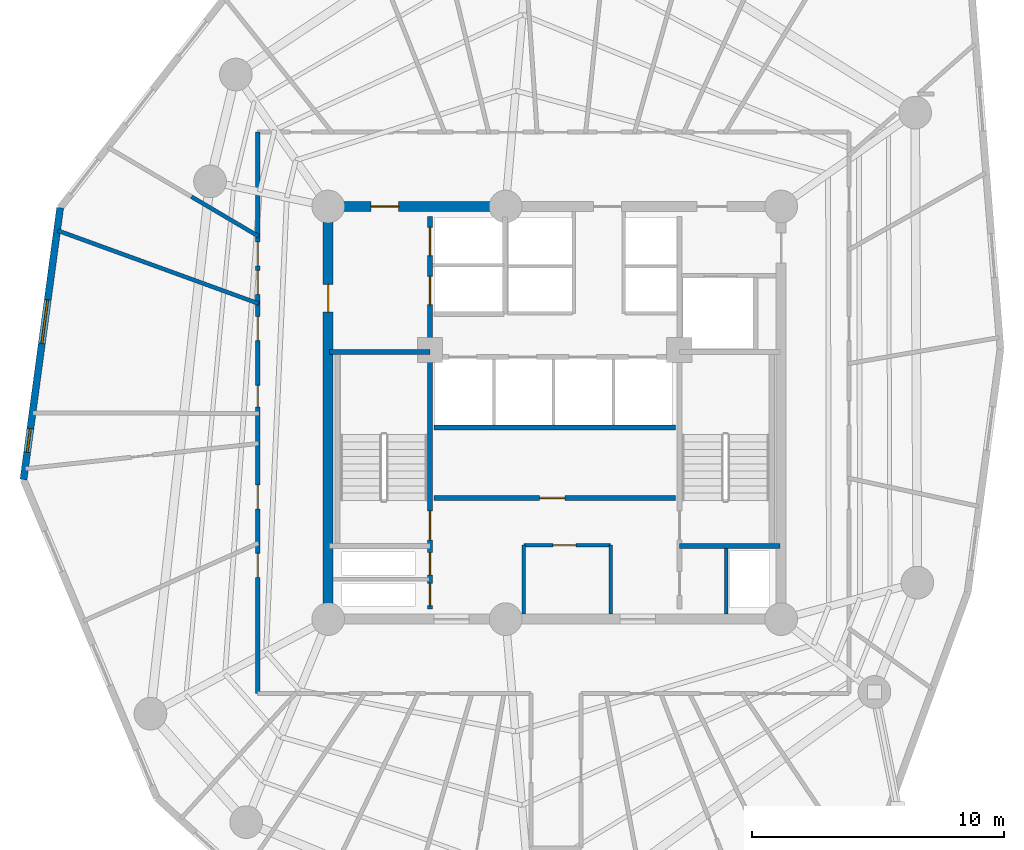
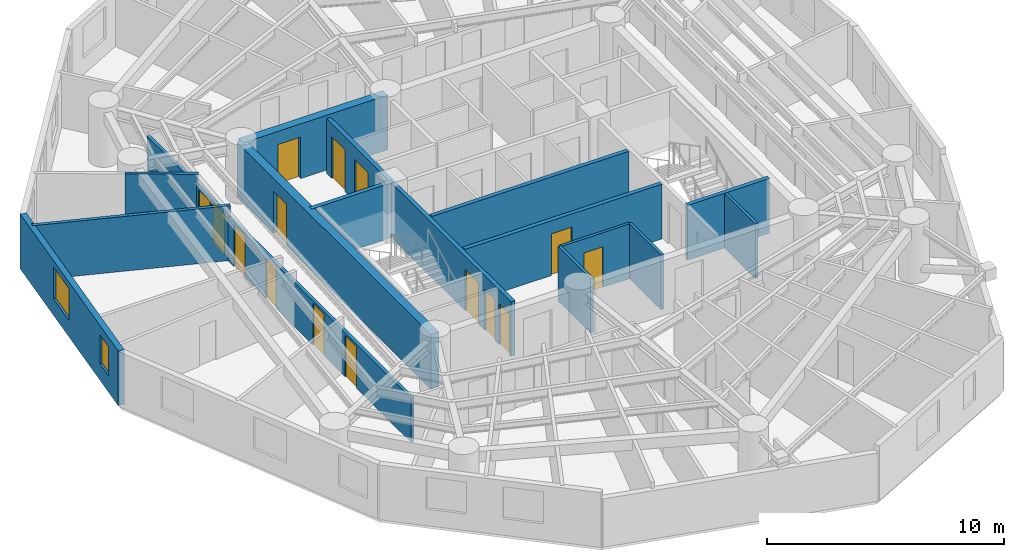
# One storey, part 4 of 8: 15 doors, 15 walls, 2 windows, 17 openings.
"""IFC4 building model written with IfcOpenShell, lengths in metres."""

from ifc_helpers import new_model, si_unit, direction, frame, frame_2d, origin, origin_with_axes, place, context, subcontext, project, spatial, rectangle, extrude, source, transform, mapped, material, layer, layer_set, type_object, element, fill, save


model = new_model("IFC4")

# Units and contexts
model_context = context("Model", 3, precision=1e-05, world=origin(), true_north=direction((0.0, 1.0)))
body_context = subcontext(model_context, "Body", "Model", "MODEL_VIEW")
ifc_project = project(units=[si_unit("LENGTHUNIT", "METRE"), si_unit("AREAUNIT", "SQUARE_METRE"), si_unit("VOLUMEUNIT", "CUBIC_METRE"), si_unit("PLANEANGLEUNIT", "RADIAN"), si_unit("MASSUNIT", "GRAM", prefix="KILO")], contexts=[model_context])

# Site, building, storey
site_placement = place(None, origin())
site = spatial("IfcSite", under=ifc_project, at=site_placement, CompositionType="ELEMENT")
building_placement = place(site_placement, origin())
building = spatial("IfcBuilding", under=site, at=building_placement, Name="Karkom Vertical University and Central Library", CompositionType="ELEMENT")
storey_placement = place(building_placement, frame((0.0, 0.0, 168.75)))
storey = spatial("IfcBuildingStorey", under=building, at=storey_placement, Name="L48", CompositionType="ELEMENT", Elevation=168.75)

# Wall, openings, windows
ifc_material_1 = material(Name="Brick-faced precast concrete C45/55", Category="masonry")
ifc_layer_1 = layer(ifc_material_1, 0.280029296875)
ifc_layer_set_1 = layer_set([ifc_layer_1], Name="Brick-faced precast concrete C45/55")
wall_type_1 = type_object("IfcWallType", Name="ENV-WL-BRK-280", PredefinedType="SOLIDWALL", material=ifc_layer_set_1)
wall_1_placement = place(storey_placement, frame((8.848388671875, 34.650390625, 0.0), z_axis=(0.0, 0.0, 1.0), x_axis=(-0.133648037214, -0.991028860402, 0.0)))
wall_1 = element("IfcWall", 1, at=wall_1_placement, inside=storey, type_object=wall_type_1, Name="Level 48 Brick-Faced Precast Facade Wall 01", PredefinedType="SOLIDWALL", context=body_context, shape_type="SweptSolid", body=[
    extrude(rectangle(XDim=10.902099609375, YDim=0.280029296875, at=frame_2d((5.451171875, 0.0))), origin(), (0.0, 0.0, 1.0), 2.824951171875),
])
opening_1_placement = place(wall_1_placement, frame((3.693115234375, 0.0, 0.85009765625)))
opening_1 = element("IfcOpeningElement", 2, at=opening_1_placement, cuts=wall_1, Name="Opening WN-08", PredefinedType="OPENING", context=body_context, shape_type="SweptSolid", body=[
    extrude(rectangle(XDim=1.75, YDim=1.64990234375, at=frame_2d((0.875, 0.824951171875))), frame((0.0, 0.14990234375, 0.0), z_axis=(0.0, -1.0, 0.0), x_axis=(1.0, 0.0, 0.0)), (0.0, 0.0, 1.0), 0.300048828125),
])
opening_2_placement = place(wall_1_placement, frame((8.859619140625, 0.0, 0.85009765625)))
opening_2 = element("IfcOpeningElement", 3, at=opening_2_placement, cuts=wall_1, Name="Opening WN-12", PredefinedType="OPENING", context=body_context, shape_type="SweptSolid", body=[
    extrude(rectangle(XDim=0.949951171875, YDim=1.5, at=frame_2d((0.47509765625, 0.75))), frame((0.0, 0.14990234375, 0.0), z_axis=(0.0, -1.0, 0.0), x_axis=(1.0, 0.0, 0.0)), (0.0, 0.0, 1.0), 0.300048828125),
])
ifc_material_2 = material(Name="Aluminium thermal-break frame with solar-control IGU", Category="aluminium")
window_type_1 = type_object("IfcWindowType", Name="ENV-WIN-WN-12", PartitioningType="SINGLE_PANEL", PredefinedType="WINDOW", material=ifc_material_2)
shared_shape_1 = source(origin_with_axes(), body_context, "Body", "SweptSolid", [
    extrude(rectangle(XDim=0.949951171875, YDim=1.5, at=frame_2d((0.47509765625, 0.75))), frame((0.0, 0.030029296875, 0.0), z_axis=(0.0, -1.0, 0.0), x_axis=(1.0, 0.0, 0.0)), (0.0, 0.0, 1.0), 0.06005859375),
])
window_1_placement = place(opening_2_placement, origin())
window_1 = element("IfcWindow", 4, at=window_1_placement, inside=storey, type_object=window_type_1, Name="Level 48 Punched Window 1.2", OverallHeight=1.5, OverallWidth=0.949951171875, PartitioningType="SINGLE_PANEL", PredefinedType="WINDOW", context=body_context, shape_type="MappedRepresentation", body=[
    mapped(shared_shape_1, transform((0.0, 0.0, 0.0), scale=1.0)),
])
fill(opening_2, window_1)
window_type_2 = type_object("IfcWindowType", Name="ENV-WIN-WN-08", PartitioningType="SINGLE_PANEL", PredefinedType="WINDOW", material=ifc_material_2)
shared_shape_2 = source(origin_with_axes(), body_context, "Body", "SweptSolid", [
    extrude(rectangle(XDim=1.75, YDim=1.64990234375, at=frame_2d((0.875, 0.824951171875))), frame((0.0, 0.030029296875, 0.0), z_axis=(0.0, -1.0, 0.0), x_axis=(1.0, 0.0, 0.0)), (0.0, 0.0, 1.0), 0.06005859375),
])
window_2_placement = place(opening_1_placement, origin())
window_2 = element("IfcWindow", 5, at=window_2_placement, inside=storey, type_object=window_type_2, Name="Level 48 Punched Window 1.1", OverallHeight=1.64990234375, OverallWidth=1.75, PartitioningType="SINGLE_PANEL", PredefinedType="WINDOW", context=body_context, shape_type="MappedRepresentation", body=[
    mapped(shared_shape_2, transform((0.0, 0.0, 0.0), scale=1.0)),
])
fill(opening_1, window_2)

# Wall, openings, doors
ifc_material_3 = material(Name="Insulated metal-stud drywall 160mm", Category="gypsum")
ifc_layer_2 = layer(ifc_material_3, 0.159912109375)
ifc_layer_set_2 = layer_set([ifc_layer_2], Name="Insulated metal-stud drywall 160mm")
wall_type_2 = type_object("IfcWallType", Name="INT-WL-COR-160", PredefinedType="PARTITIONING", material=ifc_layer_set_2)
wall_2_placement = place(storey_placement, frame((16.699951171875, 15.35009765625, 0.0), z_axis=(0.0, 0.0, 1.0), x_axis=(0.0, 1.0, 0.0)))
wall_2 = element("IfcWall", 6, at=wall_2_placement, inside=storey, type_object=wall_type_2, Name="Level 48 Interior Partition Wall L48-CORW-CW-002", PredefinedType="PARTITIONING", context=body_context, shape_type="SweptSolid", body=[
    extrude(rectangle(XDim=22.2998046875, YDim=0.159912109375, at=frame_2d((11.14990234375, 0.0))), origin(), (0.0, 0.0, 1.0), 2.27490234375),
])
opening_3_placement = place(wall_2_placement, frame((11.3828125, 0.0, 0.0)))
opening_3 = element("IfcOpeningElement", 7, at=opening_3_placement, cuts=wall_2, Name="Opening D-BATH", PredefinedType="OPENING", context=body_context, shape_type="SweptSolid", body=[
    extrude(rectangle(XDim=0.860107421875, YDim=2.10009765625, at=frame_2d((0.43017578125, 1.050048828125))), frame((0.0, 0.08984375, 0.0), z_axis=(0.0, -1.0, 0.0), x_axis=(1.0, 0.0, 0.0)), (0.0, 0.0, 1.0), 0.179931640625),
])
opening_4_placement = place(wall_2_placement, frame((7.330078125, 0.0, 0.0)))
opening_4 = element("IfcOpeningElement", 8, at=opening_4_placement, cuts=wall_2, Name="Opening FD-RM2", PredefinedType="OPENING", context=body_context, shape_type="SweptSolid", body=[
    extrude(rectangle(XDim=0.9599609375, YDim=2.14990234375, at=frame_2d((0.47998046875, 1.074951171875))), frame((0.0, 0.08984375, 0.0), z_axis=(0.0, -1.0, 0.0), x_axis=(1.0, 0.0, 0.0)), (0.0, 0.0, 1.0), 0.179931640625),
])
opening_5_placement = place(wall_2_placement, frame((4.610107421875, 0.0, 0.0)))
opening_5 = element("IfcOpeningElement", 9, at=opening_5_placement, cuts=wall_2, Name="Opening D-RM1", PredefinedType="OPENING", context=body_context, shape_type="SweptSolid", body=[
    extrude(rectangle(XDim=0.949951171875, YDim=2.14990234375, at=frame_2d((0.47509765625, 1.074951171875))), frame((0.0, 0.08984375, 0.0), z_axis=(0.0, -1.0, 0.0), x_axis=(1.0, 0.0, 0.0)), (0.0, 0.0, 1.0), 0.179931640625),
])
opening_6_placement = place(wall_2_placement, frame((16.990478515625, 0.0, 0.0)))
opening_6 = element("IfcOpeningElement", 10, at=opening_6_placement, cuts=wall_2, Name="Opening D-RM1", PredefinedType="OPENING", context=body_context, shape_type="SweptSolid", body=[
    extrude(rectangle(XDim=0.949951171875, YDim=2.14990234375, at=frame_2d((0.47509765625, 1.074951171875))), frame((0.0, 0.08984375, 0.0), z_axis=(0.0, -1.0, 0.0), x_axis=(1.0, 0.0, 0.0)), (0.0, 0.0, 1.0), 0.179931640625),
])
opening_7_placement = place(wall_2_placement, frame((15.860107421875, 0.0, 0.0)))
opening_7 = element("IfcOpeningElement", 11, at=opening_7_placement, cuts=wall_2, Name="Opening D-RM1", PredefinedType="OPENING", context=body_context, shape_type="SweptSolid", body=[
    extrude(rectangle(XDim=0.949951171875, YDim=2.14990234375, at=frame_2d((0.47509765625, 1.074951171875))), frame((0.0, 0.08984375, 0.0), z_axis=(0.0, -1.0, 0.0), x_axis=(1.0, 0.0, 0.0)), (0.0, 0.0, 1.0), 0.179931640625),
])
opening_8_placement = place(wall_2_placement, frame((14.02001953125, 0.0, 0.0)))
opening_8 = element("IfcOpeningElement", 12, at=opening_8_placement, cuts=wall_2, Name="Opening D-RM1", PredefinedType="OPENING", context=body_context, shape_type="SweptSolid", body=[
    extrude(rectangle(XDim=0.949951171875, YDim=2.14990234375, at=frame_2d((0.47509765625, 1.074951171875))), frame((0.0, 0.08984375, 0.0), z_axis=(0.0, -1.0, 0.0), x_axis=(1.0, 0.0, 0.0)), (0.0, 0.0, 1.0), 0.179931640625),
])
ifc_material_4 = material(Name="Fire-rated oak veneer door", Category="wood")
door_type_1 = type_object("IfcDoorType", Name="INT-DR-FRM2", OperationType="NOTDEFINED", PredefinedType="DOOR", material=ifc_material_4)
shared_shape_3 = source(origin_with_axes(), body_context, "Body", "SweptSolid", [
    extrude(rectangle(XDim=0.9599609375, YDim=2.14990234375, at=frame_2d((0.47998046875, 1.074951171875))), frame((0.0, 0.02490234375, 0.0), z_axis=(0.0, -1.0, 0.0), x_axis=(1.0, 0.0, 0.0)), (0.0, 0.0, 1.0), 0.050048828125),
])
door_1_placement = place(opening_4_placement, origin())
door_1 = element("IfcDoor", 13, at=door_1_placement, inside=storey, type_object=door_type_1, Name="Level 48 Room Entry Door 010", OperationType="SINGLE_SWING_RIGHT", OverallHeight=2.14990234375, OverallWidth=0.9599609375, PredefinedType="DOOR", context=body_context, shape_type="MappedRepresentation", body=[
    mapped(shared_shape_3, transform((0.0, 0.0, 0.0), scale=1.0)),
])
fill(opening_4, door_1)
ifc_material_5 = material(Name="Moisture-resistant oak door", Category="wood")
door_type_2 = type_object("IfcDoorType", Name="INT-DR-BATH", OperationType="NOTDEFINED", PredefinedType="DOOR", material=ifc_material_5)
shared_shape_4 = source(origin_with_axes(), body_context, "Body", "SweptSolid", [
    extrude(rectangle(XDim=0.860107421875, YDim=2.10009765625, at=frame_2d((0.43017578125, 1.050048828125))), frame((0.0, 0.02490234375, 0.0), z_axis=(0.0, -1.0, 0.0), x_axis=(1.0, 0.0, 0.0)), (0.0, 0.0, 1.0), 0.050048828125),
])
door_2_placement = place(opening_3_placement, origin())
door_2 = element("IfcDoor", 14, at=door_2_placement, inside=storey, type_object=door_type_2, Name="Level 48 Room Entry Door 000", OperationType="SINGLE_SWING_LEFT", OverallHeight=2.10009765625, OverallWidth=0.860107421875, PredefinedType="DOOR", context=body_context, shape_type="MappedRepresentation", body=[
    mapped(shared_shape_4, transform((0.0, 0.0, 0.0), scale=1.0)),
])
fill(opening_3, door_2)
ifc_material_6 = material(Name="Solid-core oak veneer door", Category="wood")
door_type_3 = type_object("IfcDoorType", Name="INT-DR-RM1", OperationType="NOTDEFINED", PredefinedType="DOOR", material=ifc_material_6)
shared_shape_5 = source(origin_with_axes(), body_context, "Body", "SweptSolid", [
    extrude(rectangle(XDim=0.949951171875, YDim=2.14990234375, at=frame_2d((0.47509765625, 1.074951171875))), frame((0.0, 0.02490234375, 0.0), z_axis=(0.0, -1.0, 0.0), x_axis=(1.0, 0.0, 0.0)), (0.0, 0.0, 1.0), 0.050048828125),
])
door_3_placement = place(opening_5_placement, origin())
door_3 = element("IfcDoor", 15, at=door_3_placement, inside=storey, type_object=door_type_3, Name="Level 48 Room Entry Door 020", OperationType="SINGLE_SWING_LEFT", OverallHeight=2.14990234375, OverallWidth=0.949951171875, PredefinedType="DOOR", context=body_context, shape_type="MappedRepresentation", body=[
    mapped(shared_shape_5, transform((0.0, 0.0, 0.0), scale=1.0)),
])
fill(opening_5, door_3)
door_4_placement = place(opening_6_placement, origin())
door_4 = element("IfcDoor", 16, at=door_4_placement, inside=storey, type_object=door_type_3, Name="Level 48 Room Entry Door 250", OperationType="SINGLE_SWING_LEFT", OverallHeight=2.14990234375, OverallWidth=0.949951171875, PredefinedType="DOOR", context=body_context, shape_type="MappedRepresentation", body=[
    mapped(shared_shape_5, transform((0.0, 0.0, 0.0), scale=1.0)),
])
fill(opening_6, door_4)
door_5_placement = place(opening_7_placement, origin())
door_5 = element("IfcDoor", 17, at=door_5_placement, inside=storey, type_object=door_type_3, Name="Level 48 Room Entry Door 260", OperationType="SINGLE_SWING_RIGHT", OverallHeight=2.14990234375, OverallWidth=0.949951171875, PredefinedType="DOOR", context=body_context, shape_type="MappedRepresentation", body=[
    mapped(shared_shape_5, transform((0.0, 0.0, 0.0), scale=1.0)),
])
fill(opening_7, door_5)
door_6_placement = place(opening_8_placement, origin())
door_6 = element("IfcDoor", 18, at=door_6_placement, inside=storey, type_object=door_type_3, Name="Level 48 Room Entry Door 270", OperationType="SINGLE_SWING_LEFT", OverallHeight=2.14990234375, OverallWidth=0.949951171875, PredefinedType="DOOR", context=body_context, shape_type="MappedRepresentation", body=[
    mapped(shared_shape_5, transform((0.0, 0.0, 0.0), scale=1.0)),
])
fill(opening_8, door_6)

# Walls
wall_3_placement = place(storey_placement, frame((16.7421875, 30.837890625, 0.0), z_axis=(0.0, 0.0, 1.0), x_axis=(-0.939833664455, 0.341632380137, 0.0)))
element("IfcWall", 19, at=wall_3_placement, inside=storey, type_object=wall_type_2, Name="Level 48 Interior Partition Wall L48-PW-033", PredefinedType="PARTITIONING", context=body_context, shape_type="SweptSolid", body=[
    extrude(rectangle(XDim=8.501220703125, YDim=0.159912109375, at=frame_2d((4.25048828125, 0.0))), origin(), (0.0, 0.0, 1.0), 2.824951171875),
])
wall_4_placement = place(storey_placement, frame((16.73876953125, 33.510986328125, 0.0), z_axis=(0.0, 0.0, 1.0), x_axis=(-0.861200683606, 0.508265071155, 0.0)))
element("IfcWall", 20, at=wall_4_placement, inside=storey, type_object=wall_type_2, Name="Level 48 Interior Partition Wall L48-PW-031", PredefinedType="PARTITIONING", context=body_context, shape_type="SweptSolid", body=[
    extrude(rectangle(XDim=3.10107421875, YDim=0.159912109375, at=frame_2d((1.550537109375, 0.0))), origin(), (0.0, 0.0, 1.0), 2.824951171875),
])

# Wall, opening, door
ifc_material_7 = material(Name="Metal-stud gypsum partition 140mm", Category="gypsum")
ifc_layer_3 = layer(ifc_material_7, 0.139892578125)
ifc_layer_set_3 = layer_set([ifc_layer_3], Name="Metal-stud gypsum partition 140mm")
wall_type_3 = type_object("IfcWallType", Name="INT-WL-SUB-140", PredefinedType="PARTITIONING", material=ifc_layer_set_3)
wall_5_placement = place(storey_placement, frame((27.280029296875, 21.239990234375, 0.0), z_axis=(0.0, 0.0, 1.0), x_axis=(1.0, 0.0, 0.0)))
wall_5 = element("IfcWall", 21, at=wall_5_placement, inside=storey, type_object=wall_type_3, Name="Level 48 Interior Partition Wall L48-CW-KBAY-N", PredefinedType="PARTITIONING", context=body_context, shape_type="SweptSolid", body=[
    extrude(rectangle(XDim=3.43994140625, YDim=0.139892578125, at=frame_2d((1.719970703125, 0.0))), origin(), (0.0, 0.0, 1.0), 2.824951171875),
])
opening_9_placement = place(wall_5_placement, frame((1.14990234375, 0.0, 0.0)))
opening_9 = element("IfcOpeningElement", 22, at=opening_9_placement, cuts=wall_5, Name="Opening D-SVC1", PredefinedType="OPENING", context=body_context, shape_type="SweptSolid", body=[
    extrude(rectangle(XDim=0.919921875, YDim=2.10009765625, at=frame_2d((0.4599609375, 1.050048828125))), frame((0.0, 0.080078125, 0.0), z_axis=(0.0, -1.0, 0.0), x_axis=(1.0, 0.0, 0.0)), (0.0, 0.0, 1.0), 0.159912109375),
])
ifc_material_8 = material(Name="Painted timber service door", Category="wood")
door_type_4 = type_object("IfcDoorType", Name="INT-DR-SVC1", OperationType="NOTDEFINED", PredefinedType="DOOR", material=ifc_material_8)
shared_shape_6 = source(origin_with_axes(), body_context, "Body", "SweptSolid", [
    extrude(rectangle(XDim=0.919921875, YDim=2.10009765625, at=frame_2d((0.4599609375, 1.050048828125))), frame((0.0, 0.02490234375, 0.0), z_axis=(0.0, -1.0, 0.0), x_axis=(1.0, 0.0, 0.0)), (0.0, 0.0, 1.0), 0.050048828125),
])
door_7_placement = place(opening_9_placement, origin())
door_7 = element("IfcDoor", 23, at=door_7_placement, inside=storey, type_object=door_type_4, Name="Level 48 Comms Room Door", OperationType="SINGLE_SWING_RIGHT", OverallHeight=2.10009765625, OverallWidth=0.919921875, PredefinedType="DOOR", context=body_context, shape_type="MappedRepresentation", body=[
    mapped(shared_shape_6, transform((0.0, 0.0, 0.0), scale=1.0)),
])
fill(opening_9, door_7)

# Walls
for number, where, z_axis, x_axis, name in (
    (24, (27.280029296875, 18.507080078125, 0.0), (0.0, 0.0, 1.0), (0.0, 1.0, 0.0), "Level 48 Interior Partition Wall L48-CW-KBAY-W"),
    (25, (30.719970703125, 18.507080078125, 0.0), (0.0, 0.0, 1.0), (0.0, 1.0, 0.0), "Level 48 Interior Partition Wall L48-CW-KBAY-E"),
):
    element("IfcWall", number, at=place(storey_placement, frame(where, z_axis=z_axis, x_axis=x_axis)), inside=storey, type_object=wall_type_3, Name=name, PredefinedType="PARTITIONING", context=body_context, shape_type="SweptSolid", body=[
        extrude(rectangle(XDim=2.73291015625, YDim=0.139892578125, at=frame_2d((1.366455078125, 0.0))), origin(), (0.0, 0.0, 1.0), 2.824951171875),
    ])
ifc_layer_4 = layer(ifc_material_7, 0.139892578125)
ifc_layer_set_4 = layer_set([ifc_layer_4], Name="Metal-stud gypsum partition 140mm")
wall_type_4 = type_object("IfcWallType", Name="INT-WL-SUB-140H", PredefinedType="PARTITIONING", material=ifc_layer_set_4)
wall_6_placement = place(storey_placement, frame((35.320068359375, 18.507080078125, 0.0), z_axis=(0.0, 0.0, 1.0), x_axis=(0.0, 1.0, 0.0)))
element("IfcWall", 26, at=wall_6_placement, inside=storey, type_object=wall_type_4, Name="Level 48 Interior Partition Wall L48-CW-RIS-E", PredefinedType="PARTITIONING", context=body_context, shape_type="SweptSolid", body=[
    extrude(rectangle(XDim=2.603759765625, YDim=0.139892578125, at=frame_2d((1.3017578125, 0.0))), origin(), (0.0, 0.0, 1.0), 2.824951171875),
])

# Wall, opening, door
ifc_material_9 = material(Name="Concrete C50/60", Category="concrete")
ifc_layer_5 = layer(ifc_material_9, 0.39990234375)
ifc_layer_set_5 = layer_set([ifc_layer_5], Name="Concrete C50/60")
wall_type_5 = type_object("IfcWallType", Name="STR-WL-CW-400", PredefinedType="SHEAR", material=ifc_layer_set_5)
wall_7_placement = place(storey_placement, frame((26.550048828125, 34.699951171875, 0.0), z_axis=(0.0, 0.0, 1.0), x_axis=(-1.0, 0.0, 0.0)))
wall_7 = element("IfcWall", 27, at=wall_7_placement, inside=storey, type_object=wall_type_5, Name="Level 48 Central Core Shear Wall NW2", PredefinedType="SHEAR", context=body_context, shape_type="SweptSolid", body=[
    extrude(rectangle(XDim=7.050048828125, YDim=0.39990234375, at=frame_2d((3.52490234375, 0.0))), origin(), (0.0, 0.0, 1.0), 2.824951171875),
])
opening_10_placement = place(wall_7_placement, frame((4.25, 0.0, 0.0)))
opening_10 = element("IfcOpeningElement", 28, at=opening_10_placement, cuts=wall_7, Name="Opening FD-FFL", PredefinedType="OPENING", context=body_context, shape_type="SweptSolid", body=[
    extrude(rectangle(XDim=1.10009765625, YDim=2.14990234375, at=frame_2d((0.550048828125, 1.074951171875))), frame((0.0, 0.2099609375, 0.0), z_axis=(0.0, -1.0, 0.0), x_axis=(1.0, 0.0, 0.0)), (0.0, 0.0, 1.0), 0.419921875),
])
ifc_material_10 = material(Name="Painted steel smoke-seal fire door", Category="steel")
door_type_5 = type_object("IfcDoorType", Name="INT-DR-FFL", OperationType="NOTDEFINED", PredefinedType="DOOR", material=ifc_material_10)
shared_shape_7 = source(origin_with_axes(), body_context, "Body", "SweptSolid", [
    extrude(rectangle(XDim=1.10009765625, YDim=2.14990234375, at=frame_2d((0.550048828125, 1.074951171875))), frame((0.0, 0.02490234375, 0.0), z_axis=(0.0, -1.0, 0.0), x_axis=(1.0, 0.0, 0.0)), (0.0, 0.0, 1.0), 0.050048828125),
])
door_8_placement = place(opening_10_placement, origin())
door_8 = element("IfcDoor", 29, at=door_8_placement, inside=storey, type_object=door_type_5, Name="Level 48 Firefighting Lobby Door", OperationType="SINGLE_SWING_LEFT", OverallHeight=2.14990234375, OverallWidth=1.10009765625, PredefinedType="DOOR", context=body_context, shape_type="MappedRepresentation", body=[
    mapped(shared_shape_7, transform((0.0, 0.0, 0.0), scale=1.0)),
])
fill(opening_10, door_8)

wall_8_placement = place(storey_placement, frame((19.5, 34.699951171875, 0.0), z_axis=(0.0, 0.0, 1.0), x_axis=(0.0, -1.0, 0.0)))
wall_8 = element("IfcWall", 30, at=wall_8_placement, inside=storey, type_object=wall_type_5, Name="Level 48 Central Core Shear Wall WW", PredefinedType="SHEAR", context=body_context, shape_type="SweptSolid", body=[
    extrude(rectangle(XDim=16.39990234375, YDim=0.39990234375, at=frame_2d((8.199951171875, 0.0))), origin(), (0.0, 0.0, 1.0), 2.824951171875),
])
opening_11_placement = place(wall_8_placement, frame((3.10009765625, 0.0, 0.0)))
opening_11 = element("IfcOpeningElement", 31, at=opening_11_placement, cuts=wall_8, Name="Opening FD-FFL", PredefinedType="OPENING", context=body_context, shape_type="SweptSolid", body=[
    extrude(rectangle(XDim=1.10009765625, YDim=2.14990234375, at=frame_2d((0.550048828125, 1.074951171875))), frame((0.0, 0.2099609375, 0.0), z_axis=(0.0, -1.0, 0.0), x_axis=(1.0, 0.0, 0.0)), (0.0, 0.0, 1.0), 0.419921875),
])
door_9_placement = place(opening_11_placement, origin())
door_9 = element("IfcDoor", 32, at=door_9_placement, inside=storey, type_object=door_type_5, Name="Level 48 West Corridor Firefighting Lobby Door", OperationType="SINGLE_SWING_RIGHT", OverallHeight=2.14990234375, OverallWidth=1.10009765625, PredefinedType="DOOR", context=body_context, shape_type="MappedRepresentation", body=[
    mapped(shared_shape_7, transform((0.0, 0.0, 0.0), scale=1.0)),
])
fill(opening_11, door_9)

# Wall, openings, doors
ifc_material_11 = material(Name="Concrete C45/55", Category="concrete")
ifc_layer_6 = layer(ifc_material_11, 0.199951171875)
ifc_layer_set_6 = layer_set([ifc_layer_6], Name="Concrete C45/55")
wall_type_6 = type_object("IfcWallType", Name="STR-WL-ST-200", PredefinedType="SHEAR", material=ifc_layer_set_6)
wall_9_placement = place(storey_placement, frame((23.544921875, 18.699951171875, 0.0), z_axis=(0.0, 0.0, 1.0), x_axis=(0.0, 1.0, 0.0)))
wall_9 = element("IfcWall", 33, at=wall_9_placement, inside=storey, type_object=wall_type_6, Name="Level 48 Core Shaft Wall L48-CW-ST1-E", PredefinedType="SHEAR", context=body_context, shape_type="SweptSolid", body=[
    extrude(rectangle(XDim=15.60009765625, YDim=0.199951171875, at=frame_2d((7.800048828125, 0.0))), origin(), (0.0, 0.0, 1.0), 2.824951171875),
])
opening_12_placement = place(wall_9_placement, frame((2.75, 0.0, 0.0)))
opening_12 = element("IfcOpeningElement", 34, at=opening_12_placement, cuts=wall_9, Name="Opening FD-ST1", PredefinedType="OPENING", context=body_context, shape_type="SweptSolid", body=[
    extrude(rectangle(XDim=1.14990234375, YDim=2.14990234375, at=frame_2d((0.574951171875, 1.074951171875))), frame((0.0, 0.10986328125, 0.0), z_axis=(0.0, -1.0, 0.0), x_axis=(1.0, 0.0, 0.0)), (0.0, 0.0, 1.0), 0.219970703125),
])
opening_13_placement = place(wall_9_placement, frame((0.139892578125, 0.0, 0.0)))
opening_13 = element("IfcOpeningElement", 35, at=opening_13_placement, cuts=wall_9, Name="Opening FD-RIS", PredefinedType="OPENING", context=body_context, shape_type="SweptSolid", body=[
    extrude(rectangle(XDim=0.8798828125, YDim=2.10009765625, at=frame_2d((0.43994140625, 1.050048828125))), frame((0.0, 0.10986328125, 0.0), z_axis=(0.0, -1.0, 0.0), x_axis=(1.0, 0.0, 0.0)), (0.0, 0.0, 1.0), 0.219970703125),
])
opening_14_placement = place(wall_9_placement, frame((1.360107421875, 0.0, 0.0)))
opening_14 = element("IfcOpeningElement", 36, at=opening_14_placement, cuts=wall_9, Name="Opening FD-RIS", PredefinedType="OPENING", context=body_context, shape_type="SweptSolid", body=[
    extrude(rectangle(XDim=0.8798828125, YDim=2.10009765625, at=frame_2d((0.43994140625, 1.050048828125))), frame((0.0, 0.10986328125, 0.0), z_axis=(0.0, -1.0, 0.0), x_axis=(1.0, 0.0, 0.0)), (0.0, 0.0, 1.0), 0.219970703125),
])
opening_15_placement = place(wall_9_placement, frame((12.10009765625, 0.0, 0.0)))
opening_15 = element("IfcOpeningElement", 37, at=opening_15_placement, cuts=wall_9, Name="Opening LD-FFL", PredefinedType="OPENING", context=body_context, shape_type="SweptSolid", body=[
    extrude(rectangle(XDim=1.1201171875, YDim=2.14990234375, at=frame_2d((0.56005859375, 1.074951171875))), frame((0.0, 0.10986328125, 0.0), z_axis=(0.0, -1.0, 0.0), x_axis=(1.0, 0.0, 0.0)), (0.0, 0.0, 1.0), 0.219970703125),
])
opening_16_placement = place(wall_9_placement, frame((14.050048828125, 0.0, 0.0)))
opening_16 = element("IfcOpeningElement", 38, at=opening_16_placement, cuts=wall_9, Name="Opening LD-FFL", PredefinedType="OPENING", context=body_context, shape_type="SweptSolid", body=[
    extrude(rectangle(XDim=1.1201171875, YDim=2.14990234375, at=frame_2d((0.56005859375, 1.074951171875))), frame((0.0, 0.10986328125, 0.0), z_axis=(0.0, -1.0, 0.0), x_axis=(1.0, 0.0, 0.0)), (0.0, 0.0, 1.0), 0.219970703125),
])
ifc_material_12 = material(Name="Painted steel acoustic fire door", Category="steel")
door_type_6 = type_object("IfcDoorType", Name="INT-DR-ST1", OperationType="NOTDEFINED", PredefinedType="DOOR", material=ifc_material_12)
shared_shape_8 = source(origin_with_axes(), body_context, "Body", "SweptSolid", [
    extrude(rectangle(XDim=1.14990234375, YDim=2.14990234375, at=frame_2d((0.574951171875, 1.074951171875))), frame((0.0, 0.02490234375, 0.0), z_axis=(0.0, -1.0, 0.0), x_axis=(1.0, 0.0, 0.0)), (0.0, 0.0, 1.0), 0.050048828125),
])
door_10_placement = place(opening_12_placement, origin())
door_10 = element("IfcDoor", 39, at=door_10_placement, inside=storey, type_object=door_type_6, Name="Level 48 Stair ST-1 Fire Door", OperationType="SINGLE_SWING_LEFT", OverallHeight=2.14990234375, OverallWidth=1.14990234375, PredefinedType="DOOR", context=body_context, shape_type="MappedRepresentation", body=[
    mapped(shared_shape_8, transform((0.0, 0.0, 0.0), scale=1.0)),
])
fill(opening_12, door_10)
ifc_material_13 = material(Name="Painted steel riser access door", Category="steel")
door_type_7 = type_object("IfcDoorType", Name="INT-DR-RIS", OperationType="NOTDEFINED", PredefinedType="DOOR", material=ifc_material_13)
shared_shape_9 = source(origin_with_axes(), body_context, "Body", "SweptSolid", [
    extrude(rectangle(XDim=0.8798828125, YDim=2.10009765625, at=frame_2d((0.43994140625, 1.050048828125))), frame((0.0, 0.02490234375, 0.0), z_axis=(0.0, -1.0, 0.0), x_axis=(1.0, 0.0, 0.0)), (0.0, 0.0, 1.0), 0.050048828125),
])
door_11_placement = place(opening_13_placement, origin())
door_11 = element("IfcDoor", 40, at=door_11_placement, inside=storey, type_object=door_type_7, Name="Level 48 Electrical Riser Access Door", OperationType="SINGLE_SWING_LEFT", OverallHeight=2.10009765625, OverallWidth=0.8798828125, PredefinedType="DOOR", context=body_context, shape_type="MappedRepresentation", body=[
    mapped(shared_shape_9, transform((0.0, 0.0, 0.0), scale=1.0)),
])
fill(opening_13, door_11)
door_12_placement = place(opening_14_placement, origin())
door_12 = element("IfcDoor", 41, at=door_12_placement, inside=storey, type_object=door_type_7, Name="Level 48 Telecom Riser Access Door", OperationType="SINGLE_SWING_RIGHT", OverallHeight=2.10009765625, OverallWidth=0.8798828125, PredefinedType="DOOR", context=body_context, shape_type="MappedRepresentation", body=[
    mapped(shared_shape_9, transform((0.0, 0.0, 0.0), scale=1.0)),
])
fill(opening_14, door_12)
ifc_material_14 = material(Name="Fire-rated stainless-steel landing door", Category="steel")
door_type_8 = type_object("IfcDoorType", Name="INT-DR-LD-FFL", OperationType="SLIDING_TO_LEFT", PredefinedType="DOOR", material=ifc_material_14)
shared_shape_10 = source(origin_with_axes(), body_context, "Body", "SweptSolid", [
    extrude(rectangle(XDim=1.1201171875, YDim=2.14990234375, at=frame_2d((0.56005859375, 1.074951171875))), frame((0.0, 0.02490234375, 0.0), z_axis=(0.0, -1.0, 0.0), x_axis=(1.0, 0.0, 0.0)), (0.0, 0.0, 1.0), 0.050048828125),
])
door_13_placement = place(opening_15_placement, origin())
door_13 = element("IfcDoor", 42, at=door_13_placement, inside=storey, type_object=door_type_8, Name="Level 48 Firefighting Lift FFL-1 Landing Door", OperationType="SLIDING_TO_LEFT", OverallHeight=2.14990234375, OverallWidth=1.1201171875, PredefinedType="DOOR", context=body_context, shape_type="MappedRepresentation", body=[
    mapped(shared_shape_10, transform((0.0, 0.0, 0.0), scale=1.0)),
])
fill(opening_15, door_13)
door_14_placement = place(opening_16_placement, origin())
door_14 = element("IfcDoor", 43, at=door_14_placement, inside=storey, type_object=door_type_8, Name="Level 48 Firefighting Lift FFL-2 Landing Door", OperationType="SLIDING_TO_RIGHT", OverallHeight=2.14990234375, OverallWidth=1.1201171875, PredefinedType="DOOR", context=body_context, shape_type="MappedRepresentation", body=[
    mapped(shared_shape_10, transform((0.0, 0.0, 0.0), scale=1.0)),
])
fill(opening_16, door_14)

# Wall, opening, door
wall_10_placement = place(storey_placement, frame((23.699951171875, 23.1201171875, 0.0), z_axis=(0.0, 0.0, 1.0), x_axis=(1.0, 0.0, 0.0)))
wall_10 = element("IfcWall", 44, at=wall_10_placement, inside=storey, type_object=wall_type_6, Name="Level 48 Core Shaft Wall L48-CW-B1-S", PredefinedType="SHEAR", context=body_context, shape_type="SweptSolid", body=[
    extrude(rectangle(XDim=9.60009765625, YDim=0.199951171875, at=frame_2d((4.800048828125, 0.0))), origin(), (0.0, 0.0, 1.0), 2.824951171875),
])
opening_17_placement = place(wall_10_placement, frame((4.199951171875, 0.0, 0.0)))
opening_17 = element("IfcOpeningElement", 45, at=opening_17_placement, cuts=wall_10, Name="Opening D-STR1", PredefinedType="OPENING", context=body_context, shape_type="SweptSolid", body=[
    extrude(rectangle(XDim=1.0, YDim=2.14990234375, at=frame_2d((0.5, 1.074951171875))), frame((0.0, 0.10986328125, 0.0), z_axis=(0.0, -1.0, 0.0), x_axis=(1.0, 0.0, 0.0)), (0.0, 0.0, 1.0), 0.219970703125),
])
ifc_material_15 = material(Name="Solid-core hardwood fire door", Category="wood")
door_type_9 = type_object("IfcDoorType", Name="INT-DR-STR1", OperationType="NOTDEFINED", PredefinedType="DOOR", material=ifc_material_15)
shared_shape_11 = source(origin_with_axes(), body_context, "Body", "SweptSolid", [
    extrude(rectangle(XDim=1.0, YDim=2.14990234375, at=frame_2d((0.5, 1.074951171875))), frame((0.0, 0.02490234375, 0.0), z_axis=(0.0, -1.0, 0.0), x_axis=(1.0, 0.0, 0.0)), (0.0, 0.0, 1.0), 0.050048828125),
])
door_15_placement = place(opening_17_placement, origin())
door_15 = element("IfcDoor", 46, at=door_15_placement, inside=storey, type_object=door_type_9, Name="Level 48 Campus Digital Archive Store Door", OperationType="SINGLE_SWING_LEFT", OverallHeight=2.14990234375, OverallWidth=1.0, PredefinedType="DOOR", context=body_context, shape_type="MappedRepresentation", body=[
    mapped(shared_shape_11, transform((0.0, 0.0, 0.0), scale=1.0)),
])
fill(opening_17, door_15)

# Walls
wall_11_placement = place(storey_placement, frame((23.699951171875, 25.919921875, 0.0), z_axis=(0.0, 0.0, 1.0), x_axis=(1.0, 0.0, 0.0)))
element("IfcWall", 47, at=wall_11_placement, inside=storey, type_object=wall_type_6, Name="Level 48 Core Shaft Wall L48-CW-B1-N", PredefinedType="SHEAR", context=body_context, shape_type="SweptSolid", body=[
    extrude(rectangle(XDim=9.60009765625, YDim=0.199951171875, at=frame_2d((4.800048828125, 0.0))), origin(), (0.0, 0.0, 1.0), 2.824951171875),
])
for number, where, z_axis, x_axis, name in (
    (48, (33.455078125, 21.215087890625, 0.0), (0.0, 0.0, 1.0), (1.0, 0.0, 0.0), "Level 48 Core Shaft Wall L48-CW-ST2-S"),
    (49, (19.550048828125, 28.925048828125, 0.0), (0.0, 0.0, 1.0), (1.0, 0.0, 0.0), "Level 48 Core Shaft Wall L48-CW-ST1-N"),
):
    element("IfcWall", number, at=place(storey_placement, frame(where, z_axis=z_axis, x_axis=x_axis)), inside=storey, type_object=wall_type_6, Name=name, PredefinedType="SHEAR", context=body_context, shape_type="SweptSolid", body=[
        extrude(rectangle(XDim=3.994873046875, YDim=0.199951171875, at=frame_2d((1.99755859375, 0.0))), origin(), (0.0, 0.0, 1.0), 2.824951171875),
    ])

save(model, "model.ifc")
